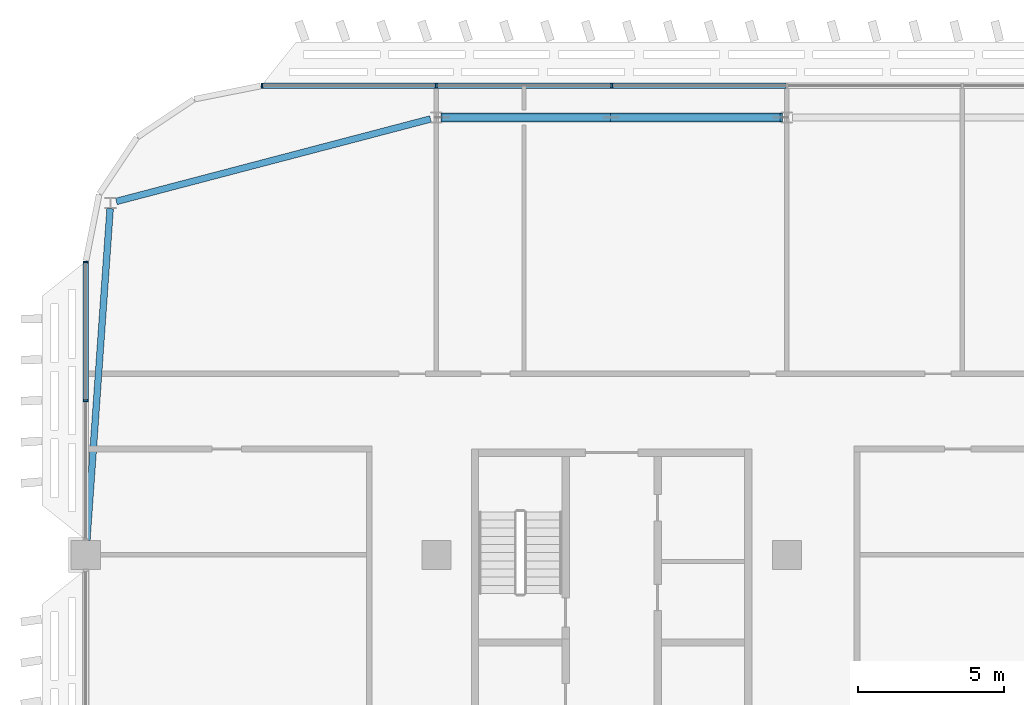
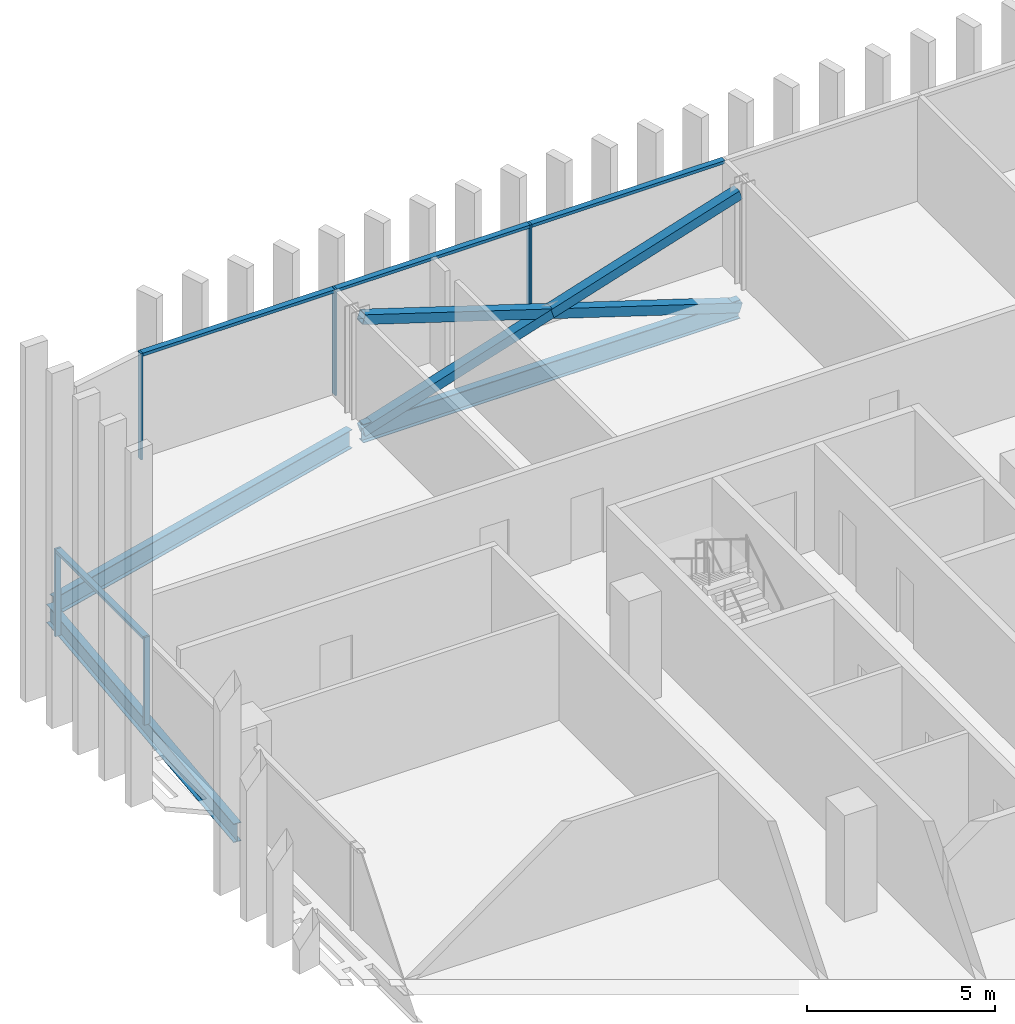
# One storey, part 9 of 32: 12 members, 3 beams, 2 elements without a shape of their own.
"""IFC4 building model written with IfcOpenShell, lengths in metres."""

import ifcopenshell
import ifcopenshell.guid

model = None  # the IFC model being written
_history = None  # IfcOwnerHistory: only IFC2X3 demands one
_inside = {}  # id of a spatial element -> (the spatial element, [elements in it])
_under = {}  # id of a project, library or spatial element -> (it, [spatial elements below it])
_declared = {}  # id of a project -> (the project, [libraries it declares])
_typed = {}  # id of a type object -> (the type object, [elements of that type])
_made_of = {}  # id of a material, layer set ... -> (it, [elements and type objects made of it])


def new_model(schema):
    """Start an empty IFC model of exactly this schema.

    Asked for "IFC4X3", IfcOpenShell would pick the latest addendum, in which some entities
    have other attributes; the version numbers below select the first issue.
    IFC2X3 requires an IfcOwnerHistory on every rooted entity: one is made here for all.
    """
    global model, _history
    if schema == "IFC4X3":
        model = ifcopenshell.file(schema_version=(4, 3, 0, 0))
    else:
        model = ifcopenshell.file(schema=schema)
    _inside.clear()
    _under.clear()
    _declared.clear()
    _typed.clear()
    _made_of.clear()
    _history = None
    if model.schema == "IFC2X3":
        org = make("IfcOrganization", Name="unknown")
        user = make(
            "IfcPersonAndOrganization",
            ThePerson=make("IfcPerson", FamilyName="unknown"),
            TheOrganization=org,
        )
        app = make(
            "IfcApplication",
            ApplicationDeveloper=org,
            Version="unknown",
            ApplicationFullName="unknown",
            ApplicationIdentifier="unknown",
        )
        _history = make(
            "IfcOwnerHistory",
            OwningUser=user,
            OwningApplication=app,
            ChangeAction="ADDED",
            CreationDate=0,
        )
    return model


def make(cls, **values):
    """One entity of the class cls with the attributes given. An attribute that is None is left unset."""
    return model.create_entity(
        cls, **{name: value for name, value in values.items() if value is not None}
    )


def rooted(cls, **values):
    """An entity with a GlobalId (a new one), such as an element, a storey or a relation."""
    return make(cls, GlobalId=ifcopenshell.guid.new(), OwnerHistory=_history, **values)


def si_unit(unit_type, name, prefix=None):
    """IfcSIUnit, for example si_unit("LENGTHUNIT", "METRE", prefix="MILLI")."""
    return make("IfcSIUnit", UnitType=unit_type, Prefix=prefix, Name=name)


def assignment(units):
    """IfcUnitAssignment: the units of a project."""
    return None if units is None else make("IfcUnitAssignment", Units=units)


def point(xyz):
    """IfcCartesianPoint."""
    return None if xyz is None else make("IfcCartesianPoint", Coordinates=xyz)


def direction(xyz):
    """IfcDirection."""
    return None if xyz is None else make("IfcDirection", DirectionRatios=xyz)


def frame(location, z_axis=None, x_axis=None):
    """IfcAxis2Placement3D, a coordinate frame: its origin and axes. An axis left out is left unset."""
    return make(
        "IfcAxis2Placement3D",
        Location=point(location),
        Axis=direction(z_axis),
        RefDirection=direction(x_axis),
    )


def frame_2d(location, x_axis=None):
    """IfcAxis2Placement2D, a coordinate frame in the plane: its origin and x axis."""
    return make(
        "IfcAxis2Placement2D", Location=point(location), RefDirection=direction(x_axis)
    )


def origin():
    """The frame at (0, 0, 0) with its axes left unset."""
    return frame((0.0, 0.0, 0.0))


def origin_2d():
    """The frame at (0, 0) in the plane with its x axis left unset."""
    return frame_2d((0.0, 0.0))


def place(relative_to, where):
    """IfcLocalPlacement: puts the frame where relative to a parent placement (None: the world)."""
    return make(
        "IfcLocalPlacement", PlacementRelTo=relative_to, RelativePlacement=where
    )


def context(
    kind, dimensions, precision=None, world=None, true_north=None, identifier=None
):
    """IfcGeometricRepresentationContext, for example the 3D "Model" context."""
    return make(
        "IfcGeometricRepresentationContext",
        ContextIdentifier=identifier,
        ContextType=kind,
        CoordinateSpaceDimension=dimensions,
        Precision=precision,
        WorldCoordinateSystem=world,
        TrueNorth=true_north,
    )


def subcontext(parent, identifier, kind, view, scale=None):
    """IfcGeometricRepresentationSubContext, for example "Body" below "Model"."""
    return make(
        "IfcGeometricRepresentationSubContext",
        ContextIdentifier=identifier,
        ContextType=kind,
        ParentContext=parent,
        TargetScale=scale,
        TargetView=view,
    )


def project(units=None, contexts=None):
    """IfcProject with its units and contexts."""
    return rooted(
        "IfcProject",
        Name="project",
        RepresentationContexts=contexts,
        UnitsInContext=assignment(units),
    )


def spatial(cls, under=None, at=None, **own):
    """A site, building, storey or space (cls), placed at a placement, below another one or the project."""
    s = rooted(cls, ObjectPlacement=at, **own)
    if under is not None:
        _under.setdefault(under.id(), (under, []))[1].append(s)
    return s


def profile(cls, at=None, kind="AREA", **sizes):
    """A parametric profile (cls). Its sizes go by their IFC names, for example OverallWidth=200.0."""
    return make(cls, ProfileType=kind, Position=at, **sizes)


def rectangle(**sizes):
    """IfcRectangleProfileDef."""
    return profile("IfcRectangleProfileDef", **sizes)


def hollow_rectangle(**sizes):
    """IfcRectangleHollowProfileDef."""
    return profile("IfcRectangleHollowProfileDef", **sizes)


def i_section(**sizes):
    """IfcIShapeProfileDef."""
    return profile("IfcIShapeProfileDef", **sizes)


def extrude(swept, where, along, depth):
    """IfcExtrudedAreaSolid: the profile swept, set in the frame where, extruded along a direction by depth."""
    return make(
        "IfcExtrudedAreaSolid",
        SweptArea=swept,
        Position=where,
        ExtrudedDirection=direction(along),
        Depth=depth,
    )


def shape(context_of_items, identifier, shape_type, items):
    """IfcShapeRepresentation: the items that make up one representation, for example the "Body"."""
    return make(
        "IfcShapeRepresentation",
        ContextOfItems=context_of_items,
        RepresentationIdentifier=identifier,
        RepresentationType=shape_type,
        Items=items,
    )


def material(Name=None, Category=None):
    """IfcMaterial."""
    return make("IfcMaterial", Name=Name, Category=Category)


def material_profile(
    of_material, cross_section, Name=None, Category=None, Priority=None
):
    """IfcMaterialProfile: a cross section and its material."""
    return make(
        "IfcMaterialProfile",
        Name=Name,
        Material=of_material,
        Profile=cross_section,
        Priority=Priority,
        Category=Category,
    )


def profile_set(profiles, Name=None, composite=None):
    """IfcMaterialProfileSet."""
    return make(
        "IfcMaterialProfileSet",
        Name=Name,
        MaterialProfiles=profiles,
        CompositeProfile=composite,
    )


def made_of(thing, what):
    """Note that an element or type object is made of a material, layer set ...; save() writes the relation."""
    if what is not None:
        _made_of.setdefault(what.id(), (what, []))[1].append(thing)
    return thing


def type_object(cls, material=None, **own):
    """A type object (cls), such as IfcWallType, which elements share."""
    return made_of(rooted(cls, **own), material)


def element(
    cls,
    number,
    at=None,
    inside=None,
    cuts=None,
    type_object=None,
    material=None,
    context=None,
    identifier="Body",
    shape_type=None,
    held_by="IfcProductDefinitionShape",
    body=None,
    shapes=None,
    **own,
):
    """One element of the class cls, such as IfcWall. Its Tag is "e" and its number.

    at: its placement. inside: the storey or other place that contains it. cuts: it is an
    opening in that element (IfcRelVoidsElement). A single representation is given by context,
    identifier, shape_type and body (its items); several are given by shapes. held_by: the class
    of the entity that holds the representations. save() writes the other relations.
    """
    e = rooted(cls, Tag="e%d" % number, ObjectPlacement=at, **own)
    if body is not None:
        shapes = [shape(context, identifier, shape_type, body)]
    if shapes is not None:
        e.Representation = make(held_by, Representations=shapes)
    if inside is not None:
        _inside.setdefault(inside.id(), (inside, []))[1].append(e)
    if cuts is not None:
        rooted(
            "IfcRelVoidsElement", RelatingBuildingElement=cuts, RelatedOpeningElement=e
        )
    if type_object is not None:
        _typed.setdefault(type_object.id(), (type_object, []))[1].append(e)
    return made_of(e, material)


def aggregate(whole, parts):
    """IfcRelAggregates: a whole, such as a stair, and the parts it consists of."""
    return rooted("IfcRelAggregates", RelatingObject=whole, RelatedObjects=parts)


def save(model, path):
    """Write the relations noted so far, then the file.

    IfcRelAggregates (storeys below a building ...), IfcRelContainedInSpatialStructure (elements
    in a storey), IfcRelDefinesByType, IfcRelAssociatesMaterial and IfcRelDeclares: one each for
    every whole, place, type object, material and project.
    """
    for whole, parts in _under.values():
        aggregate(whole, parts)
    for where, things in _inside.values():
        rooted(
            "IfcRelContainedInSpatialStructure",
            RelatedElements=things,
            RelatingStructure=where,
        )
    for kind, things in _typed.values():
        rooted("IfcRelDefinesByType", RelatedObjects=things, RelatingType=kind)
    for what, things in _made_of.values():
        rooted("IfcRelAssociatesMaterial", RelatedObjects=things, RelatingMaterial=what)
    for by, libraries in _declared.values():
        rooted("IfcRelDeclares", RelatingContext=by, RelatedDefinitions=libraries)
    model.write(path)


model = new_model("IFC4")

# Units and contexts
model_context = context("Model", 3, precision=1e-05, world=origin(), true_north=direction((0.0, 1.0)))
body_context = subcontext(model_context, "Body", "Model", "MODEL_VIEW")
ifc_project = project(units=[si_unit("LENGTHUNIT", "METRE"), si_unit("AREAUNIT", "SQUARE_METRE"), si_unit("VOLUMEUNIT", "CUBIC_METRE"), si_unit("PLANEANGLEUNIT", "RADIAN"), si_unit("MASSUNIT", "GRAM", prefix="KILO")], contexts=[model_context])

# Site, building, storey
site_placement = place(None, origin())
site = spatial("IfcSite", under=ifc_project, at=site_placement, CompositionType="ELEMENT")
building_placement = place(site_placement, origin())
building = spatial("IfcBuilding", under=site, at=building_placement, Name="Mahtab Terrace Research Tower", CompositionType="ELEMENT")
storey_placement = place(building_placement, frame((0.0, 0.0, 243.800048828125)))
storey = spatial("IfcBuildingStorey", under=building, at=storey_placement, Name="L59", CompositionType="ELEMENT", Elevation=243.800048828125)

# Members
ifc_material_1 = material(Name="Steel ASTM A500 Gr C", Category="steel")
ifc_material_profile_1 = material_profile(ifc_material_1, hollow_rectangle(XDim=0.3046875, YDim=0.3046875, WallThickness=0.015869140625, at=origin_2d()), Name="HSS12X12X5/8")
ifc_profile_set_1 = profile_set([ifc_material_profile_1], Name="Steel ASTM A500 Gr C")
member_type_1 = type_object("IfcMemberType", Name="HSS 12x12x5/8 brace XB121258", PredefinedType="BRACE", material=ifc_profile_set_1)
member_1_placement = place(storey_placement, frame((-18.199462890625, 26.472900390625, -0.58056640625), z_axis=(-0.953338568311, 0.0, 0.301903252998), x_axis=(0.0, -1.0, 0.0)))
element("IfcMember", 1, at=member_1_placement, inside=storey, type_object=member_type_1, Name="Exoskeleton brace L59 07 a", PredefinedType="BRACE", context=body_context, shape_type="SweptSolid", body=[
    extrude(hollow_rectangle(XDim=0.3046875, YDim=0.3046875, WallThickness=0.015869140625, at=origin_2d()), origin(), (0.0, 0.0, 1.0), 12.1689453125),
])
for number, where, z_axis, x_axis, name in (
    (2, (-29.800537109375, 26.472900390625, -0.58056640625), (0.953338568311, 0.0, 0.301903252998), (0.0, 1.0, 0.0), "Exoskeleton brace L59 07 b1"),
    (3, (-24.0, 26.472900390625, 1.25634765625), (0.953338568311, 0.0, 0.301903252998), (0.0, 1.0, 0.0), "Exoskeleton brace L59 07 b2"),
):
    element("IfcMember", number, at=place(storey_placement, frame(where, z_axis=z_axis, x_axis=x_axis)), inside=storey, type_object=member_type_1, Name=name, PredefinedType="BRACE", context=body_context, shape_type="SweptSolid", body=[
        extrude(hollow_rectangle(XDim=0.3046875, YDim=0.3046875, WallThickness=0.015869140625, at=origin_2d()), origin(), (0.0, 0.0, 1.0), 6.08447265625),
    ])

# Curtain wall, members
ifc_material_2 = material(Name="Office ribbon curtain wall")
curtain_wall_type = type_object("IfcCurtainWallType", Name="Office ribbon curtain wall", PredefinedType="NOTDEFINED", material=ifc_material_2)
curtain_wall_1_placement = place(storey_placement, origin())
curtain_wall_1 = element("IfcCurtainWall", 4, at=curtain_wall_1_placement, inside=storey, type_object=curtain_wall_type, Name="EN.L59.3.3", PredefinedType="NOTDEFINED")
ifc_material_3 = material(Name="Natural anodised aluminium", Category="aluminium")
ifc_material_profile_2 = material_profile(ifc_material_3, rectangle(XDim=0.179931640625, YDim=0.06005859375, at=origin_2d()), Name="MULLION 60x180")
ifc_profile_set_2 = profile_set([ifc_material_profile_2], Name="Natural anodised aluminium")
member_type_2 = type_object("IfcMemberType", Name="Office ribbon curtain wall mullion", PredefinedType="MULLION", material=ifc_profile_set_2)
member_2_placement = place(storey_placement, frame((-24.0, 27.555908203125, 0.0), z_axis=(0.0, 0.0, 1.0), x_axis=(0.0, -1.0, 0.0)))
member_2 = element("IfcMember", 5, at=member_2_placement, type_object=member_type_2, Name="CWO-7 mullion 13", PredefinedType="MULLION", context=body_context, shape_type="SweptSolid", body=[
    extrude(rectangle(XDim=0.179931640625, YDim=0.06005859375, at=origin_2d()), origin(), (0.0, 0.0, 1.0), 3.4599609375),
])
member_3_placement = place(storey_placement, frame((-30.0, 27.555908203125, 0.0), z_axis=(0.0, 0.0, 1.0), x_axis=(0.0, -1.0, 0.0)))
member_3 = element("IfcMember", 6, at=member_3_placement, type_object=member_type_2, Name="CWO-7 mullion 14", PredefinedType="MULLION", context=body_context, shape_type="SweptSolid", body=[
    extrude(rectangle(XDim=0.179931640625, YDim=0.06005859375, at=origin_2d()), origin(), (0.0, 0.0, 1.0), 3.4599609375),
])
member_4_placement = place(storey_placement, frame((-35.969970703125, 27.555908203125, 0.0), z_axis=(0.0, 0.0, 1.0), x_axis=(0.0, -1.0, 0.0)))
member_4 = element("IfcMember", 7, at=member_4_placement, type_object=member_type_2, Name="CWO-7 mullion 15", PredefinedType="MULLION", context=body_context, shape_type="SweptSolid", body=[
    extrude(rectangle(XDim=0.179931640625, YDim=0.06005859375, at=origin_2d()), origin(), (0.0, 0.0, 1.0), 3.4599609375),
])

curtain_wall_2_placement = place(storey_placement, origin())
curtain_wall_2 = element("IfcCurtainWall", 8, at=curtain_wall_2_placement, inside=storey, type_object=curtain_wall_type, Name="EN.L59.8.8", PredefinedType="NOTDEFINED")
member_5_placement = place(storey_placement, frame((-42.0, 21.52587890625, 0.0), z_axis=(0.0, 0.0, 1.0), x_axis=(1.0, 0.0, 0.0)))
member_5 = element("IfcMember", 9, at=member_5_placement, type_object=member_type_2, Name="CWO-7 mullion 1", PredefinedType="MULLION", context=body_context, shape_type="SweptSolid", body=[
    extrude(rectangle(XDim=0.179931640625, YDim=0.06005859375, at=origin_2d()), origin(), (0.0, 0.0, 1.0), 2.852783203125),
])
member_6_placement = place(storey_placement, frame((-42.0, 16.778076171875, 0.0), z_axis=(0.0, 0.0, 1.0), x_axis=(1.0, 0.0, 0.0)))
member_6 = element("IfcMember", 10, at=member_6_placement, type_object=member_type_2, Name="CWO-7 mullion 2", PredefinedType="MULLION", context=body_context, shape_type="SweptSolid", body=[
    extrude(rectangle(XDim=0.179931640625, YDim=0.06005859375, at=origin_2d()), origin(), (0.0, 0.0, 1.0), 2.852783203125),
])

# Member
ifc_material_profile_3 = material_profile(ifc_material_3, rectangle(XDim=0.179931640625, YDim=0.10009765625, at=origin_2d()), Name="TRANSOM 100x180")
ifc_profile_set_3 = profile_set([ifc_material_profile_3], Name="Natural anodised aluminium")
member_type_3 = type_object("IfcMemberType", Name="Office ribbon curtain wall transom", PredefinedType="USERDEFINED", material=ifc_profile_set_3)
member_7_placement = place(storey_placement, frame((-18.030029296875, 27.555908203125, 3.409912109375), z_axis=(-1.0, 0.0, 0.0), x_axis=(0.0, -1.0, 0.0)))
member_7 = element("IfcMember", 11, at=member_7_placement, type_object=member_type_3, Name="CWO-7 transom 12", ObjectType="TRANSOM", PredefinedType="USERDEFINED", context=body_context, shape_type="SweptSolid", body=[
    extrude(rectangle(XDim=0.179931640625, YDim=0.10009765625, at=origin_2d()), origin(), (0.0, 0.0, 1.0), 5.93994140625),
])

member_8_placement = place(storey_placement, frame((-24.030029296875, 27.555908203125, 3.409912109375), z_axis=(-1.0, 0.0, 0.0), x_axis=(0.0, -1.0, 0.0)))
member_8 = element("IfcMember", 12, at=member_8_placement, type_object=member_type_3, Name="CWO-7 transom 13", ObjectType="TRANSOM", PredefinedType="USERDEFINED", context=body_context, shape_type="SweptSolid", body=[
    extrude(rectangle(XDim=0.179931640625, YDim=0.10009765625, at=origin_2d()), origin(), (0.0, 0.0, 1.0), 5.93994140625),
])

member_9_placement = place(storey_placement, frame((-30.030029296875, 27.555908203125, 3.409912109375), z_axis=(-1.0, 0.0, 0.0), x_axis=(0.0, -1.0, 0.0)))
member_9 = element("IfcMember", 13, at=member_9_placement, type_object=member_type_3, Name="CWO-7 transom 14", ObjectType="TRANSOM", PredefinedType="USERDEFINED", context=body_context, shape_type="SweptSolid", body=[
    extrude(rectangle(XDim=0.179931640625, YDim=0.10009765625, at=origin_2d()), origin(), (0.0, 0.0, 1.0), 5.909912109375),
])

aggregate(curtain_wall_1, [member_2, member_3, member_4, member_7, member_8, member_9])

member_10_placement = place(storey_placement, frame((-42.0, 21.49609375, 2.802734375), z_axis=(0.0, -1.0, 0.0), x_axis=(1.0, 0.0, 0.0)))
member_10 = element("IfcMember", 14, at=member_10_placement, type_object=member_type_3, Name="CWO-7 transom 1", ObjectType="TRANSOM", PredefinedType="USERDEFINED", context=body_context, shape_type="SweptSolid", body=[
    extrude(rectangle(XDim=0.179931640625, YDim=0.10009765625, at=origin_2d()), origin(), (0.0, 0.0, 1.0), 4.68798828125),
])

aggregate(curtain_wall_2, [member_5, member_6, member_10])

# Beams
ifc_material_4 = material(Name="Steel ASTM A992 Gr 50", Category="steel")
ifc_material_profile_4 = material_profile(ifc_material_4, i_section(OverallWidth=0.228271484375, OverallDepth=0.607177734375, WebThickness=0.01123046875, FlangeThickness=0.017333984375, at=origin_2d()), Name="W24X76")
ifc_profile_set_4 = profile_set([ifc_material_profile_4], Name="Steel ASTM A992 Gr 50")
beam_type = type_object("IfcBeamType", Name="W24x76 beam BS2476", PredefinedType="BEAM", material=ifc_profile_set_4)
beam_1_placement = place(storey_placement, frame((-18.199462890625, 26.472900390625, -0.6435546875), z_axis=(-1.0, 0.0, 0.0), x_axis=(0.0, -1.0, 0.0)))
element("IfcBeam", 15, at=beam_1_placement, inside=storey, type_object=beam_type, Name="Spandrel beam L59 07", PredefinedType="BEAM", context=body_context, shape_type="SweptSolid", body=[
    extrude(i_section(OverallWidth=0.228271484375, OverallDepth=0.607177734375, WebThickness=0.01123046875, FlangeThickness=0.017333984375, at=origin_2d()), origin(), (0.0, 0.0, 1.0), 11.60107421875),
])
beam_2_placement = place(storey_placement, frame((-30.199462890625, 26.420654296875, -0.6435546875), z_axis=(-0.967252058434, -0.253817760323, 0.0), x_axis=(0.253817760323, -0.967252058434, 0.0)))
element("IfcBeam", 16, at=beam_2_placement, inside=storey, type_object=beam_type, Name="Spandrel beam L59 08", PredefinedType="BEAM", context=body_context, shape_type="SweptSolid", body=[
    extrude(i_section(OverallWidth=0.228271484375, OverallDepth=0.607177734375, WebThickness=0.01123046875, FlangeThickness=0.017333984375, at=origin_2d()), origin(), (0.0, 0.0, 1.0), 11.119140625),
])
beam_3_placement = place(storey_placement, frame((-41.16748046875, 23.35302734375, -0.6435546875), z_axis=(-0.070060954326, -0.997542712208, 0.0), x_axis=(0.997542712208, -0.070060954326, 0.0)))
element("IfcBeam", 17, at=beam_3_placement, inside=storey, type_object=beam_type, Name="Spandrel beam L59 09", PredefinedType="BEAM", context=body_context, shape_type="SweptSolid", body=[
    extrude(i_section(OverallWidth=0.228271484375, OverallDepth=0.607177734375, WebThickness=0.01123046875, FlangeThickness=0.017333984375, at=origin_2d()), origin(), (0.0, 0.0, 1.0), 11.381103515625),
])

save(model, "model.ifc")
